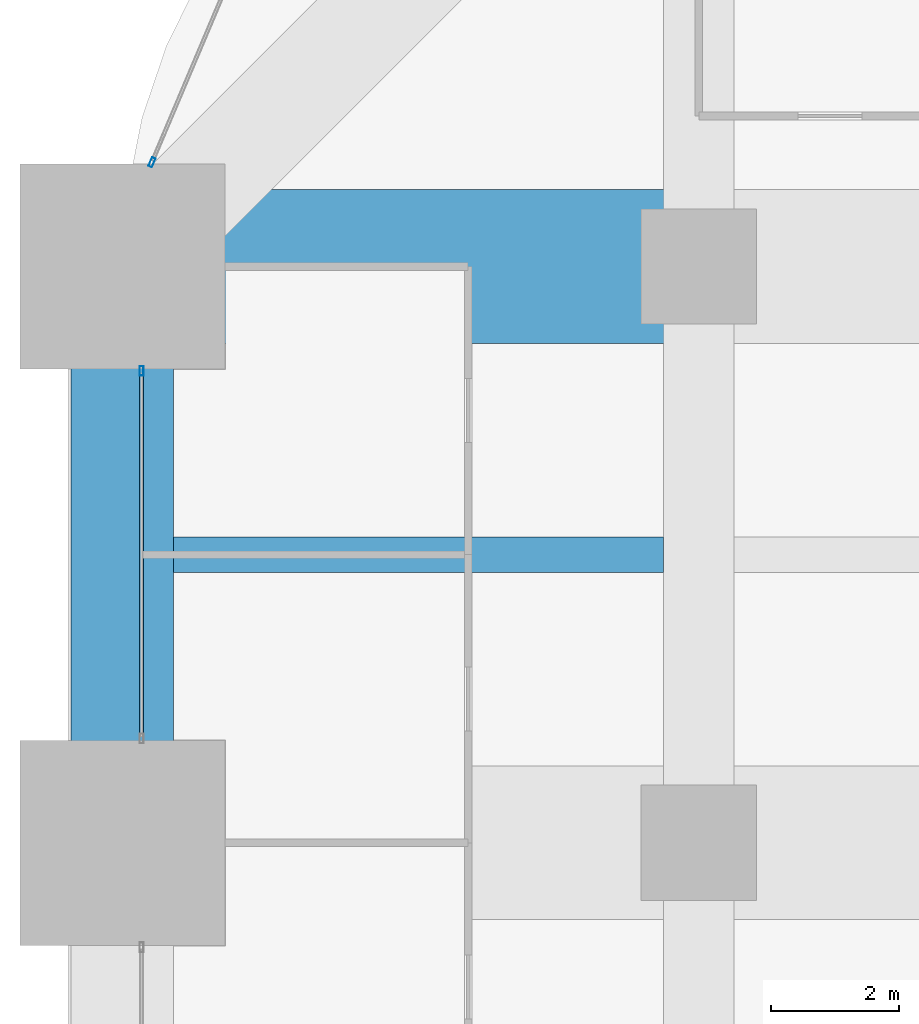
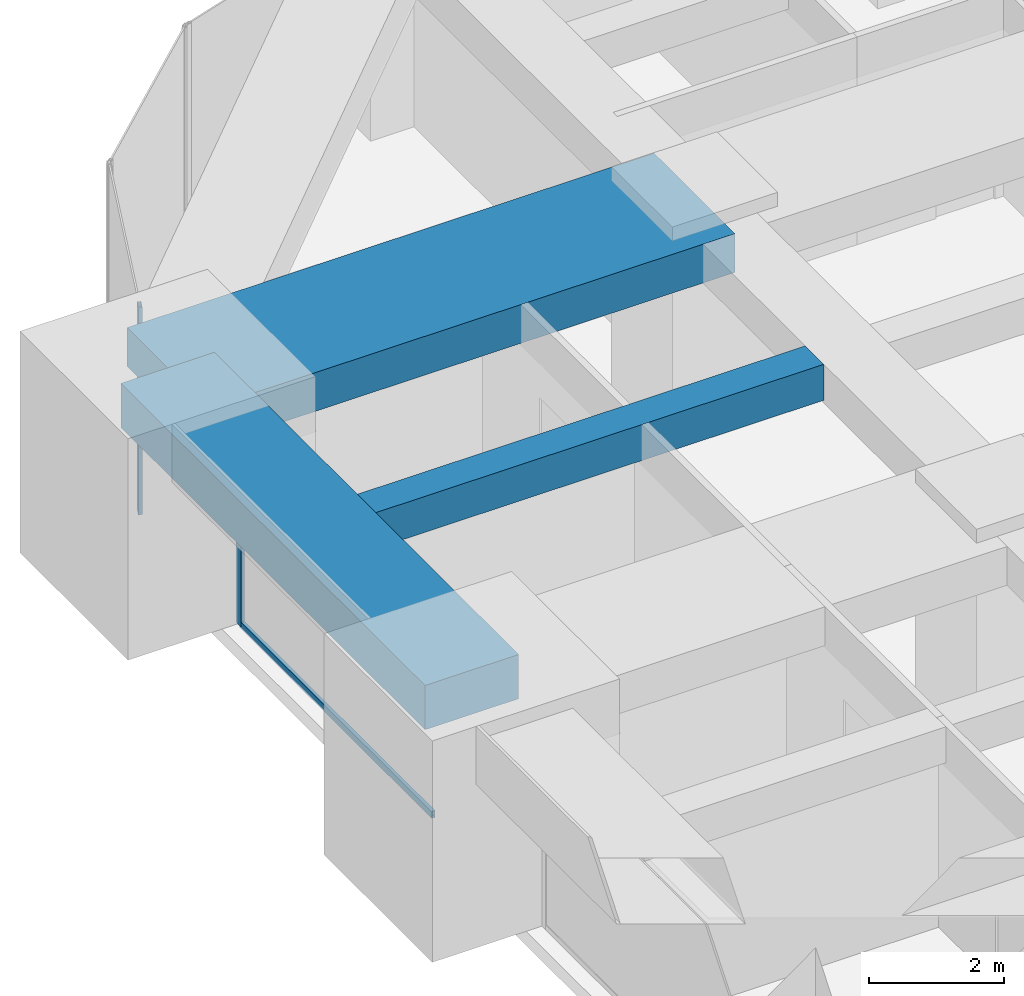
# One storey, part 20 of 36: 3 beams, 3 members, 2 elements without a shape of their own.
"""IFC4 building model written with IfcOpenShell, lengths in metres."""

from ifc_helpers import new_model, si_unit, direction, frame, origin, origin_2d, place, context, subcontext, project, spatial, rectangle, hollow_rectangle, extrude, material, material_profile, profile_set, type_object, element, aggregate, save


model = new_model("IFC4")

# Units and contexts
model_context = context("Model", 3, precision=1e-05, world=origin(), true_north=direction((0.0, 1.0)))
body_context = subcontext(model_context, "Body", "Model", "MODEL_VIEW")
ifc_project = project(units=[si_unit("LENGTHUNIT", "METRE"), si_unit("AREAUNIT", "SQUARE_METRE"), si_unit("VOLUMEUNIT", "CUBIC_METRE"), si_unit("PLANEANGLEUNIT", "RADIAN"), si_unit("MASSUNIT", "GRAM", prefix="KILO")], contexts=[model_context])

# Site, building, storey
site_placement = place(None, origin())
site = spatial("IfcSite", under=ifc_project, at=site_placement, CompositionType="ELEMENT")
building_placement = place(site_placement, origin())
building = spatial("IfcBuilding", under=site, at=building_placement, Name="Zorevar Civic Tower", CompositionType="ELEMENT")
storey_placement = place(building_placement, frame((0.0, 0.0, 166.199951171875)))
storey = spatial("IfcBuildingStorey", under=building, at=storey_placement, Name="L40", CompositionType="ELEMENT", Elevation=166.199951171875)

# Beams
ifc_material_1 = material(Name="Concrete C50/60", Category="concrete")
ifc_material_profile_1 = material_profile(ifc_material_1, rectangle(XDim=2.39990234375, YDim=0.699951171875, at=origin_2d()), Name="RC 2400x700")
ifc_profile_set_1 = profile_set([ifc_material_profile_1], Name="Concrete C50/60")
beam_type_1 = type_object("IfcBeamType", Name="Beam RC 2400x700", PredefinedType="BEAM", material=ifc_profile_set_1)
beam_1_placement = place(storey_placement, frame((0.0, 36.0, 3.400146484375), z_axis=(1.0, 0.0, 0.0), x_axis=(0.0, 1.0, 0.0)))
element("IfcBeam", 1, at=beam_1_placement, inside=storey, type_object=beam_type_1, Name="Girder L41", PredefinedType="BEAM", context=body_context, shape_type="SweptSolid", body=[
    extrude(rectangle(XDim=2.39990234375, YDim=0.699951171875, at=origin_2d()), origin(), (0.0, 0.0, 1.0), 9.0),
])
ifc_material_2 = material(Name="Concrete C50/60", Category="concrete")
ifc_material_profile_2 = material_profile(ifc_material_2, rectangle(XDim=0.550048828125, YDim=0.64990234375, at=origin_2d()), Name="RC 550x650")
ifc_profile_set_2 = profile_set([ifc_material_profile_2], Name="Concrete C50/60")
beam_type_2 = type_object("IfcBeamType", Name="Beam RC 550x650", PredefinedType="BEAM", material=ifc_profile_set_2)
beam_2_placement = place(storey_placement, frame((0.800048828125, 31.5, 3.425048828125), z_axis=(1.0, 0.0, 0.0), x_axis=(0.0, 1.0, 0.0)))
element("IfcBeam", 2, at=beam_2_placement, inside=storey, type_object=beam_type_2, Name="Secondary beam L41", PredefinedType="BEAM", context=body_context, shape_type="SweptSolid", body=[
    extrude(rectangle(XDim=0.550048828125, YDim=0.64990234375, at=origin_2d()), origin(), (0.0, 0.0, 1.0), 7.64990234375),
])

# Curtain wall, member
ifc_material_3 = material(Name="Dark grey solar-control glass in black aluminium frame", Category="aluminium")
curtain_wall_type = type_object("IfcCurtainWallType", Name="Curtain wall CW4 high zone", PredefinedType="NOTDEFINED", material=ifc_material_3)
curtain_wall_1_placement = place(storey_placement, origin())
curtain_wall_1 = element("IfcCurtainWall", 3, at=curtain_wall_1_placement, inside=storey, type_object=curtain_wall_type, Name="CW4 L40", PredefinedType="NOTDEFINED")
ifc_material_4 = material(Name="Aluminium, black anodised", Category="aluminium")
ifc_material_profile_3 = material_profile(ifc_material_4, hollow_rectangle(XDim=0.06005859375, YDim=0.14990234375, WallThickness=0.00390625, at=origin_2d()), Name="AL 150x60x4")
ifc_profile_set_3 = profile_set([ifc_material_profile_3], Name="Aluminium, black anodised")
member_type_1 = type_object("IfcMemberType", Name="CW4 mullion AL 150x60x4", PredefinedType="MULLION", material=ifc_profile_set_3)
member_1_placement = place(storey_placement, frame((0.300048828125, 34.3701171875, 0.0), z_axis=(0.0, 0.0, 1.0), x_axis=(-1.0, 0.0, 0.0)))
member_1 = element("IfcMember", 4, at=member_1_placement, type_object=member_type_1, Name="CW4 mullion 2", PredefinedType="MULLION", context=body_context, shape_type="SweptSolid", body=[
    extrude(hollow_rectangle(XDim=0.06005859375, YDim=0.14990234375, WallThickness=0.00390625, at=origin_2d()), origin(), (0.0, 0.0, 1.0), 2.949951171875),
])

curtain_wall_2_placement = place(storey_placement, origin())
curtain_wall_2 = element("IfcCurtainWall", 5, at=curtain_wall_2_placement, inside=storey, type_object=curtain_wall_type, Name="CW4 L40", PredefinedType="NOTDEFINED")
member_2_placement = place(storey_placement, frame((0.460205078125, 37.627685546875, 0.0), z_axis=(0.0, 0.0, 1.0), x_axis=(0.920829589054, -0.389965213734, 0.0)))
member_2 = element("IfcMember", 6, at=member_2_placement, type_object=member_type_1, Name="CW4 mullion 2", PredefinedType="MULLION", context=body_context, shape_type="SweptSolid", body=[
    extrude(hollow_rectangle(XDim=0.06005859375, YDim=0.14990234375, WallThickness=0.00390625, at=origin_2d()), origin(), (0.0, 0.0, 1.0), 3.75),
])
aggregate(curtain_wall_2, [member_2])

# Member
ifc_material_5 = material(Name="Aluminium, black anodised", Category="aluminium")
ifc_material_profile_4 = material_profile(ifc_material_5, hollow_rectangle(XDim=0.06005859375, YDim=0.1201171875, WallThickness=0.0029296875, at=origin_2d()), Name="AL 120x60x3")
ifc_profile_set_4 = profile_set([ifc_material_profile_4], Name="Aluminium, black anodised")
member_type_2 = type_object("IfcMemberType", Name="CW4 transom AL 120x60x3", PredefinedType="USERDEFINED", material=ifc_profile_set_4)
member_3_placement = place(storey_placement, frame((0.300048828125, 28.659912109375, 0.030029296875), z_axis=(0.0, 1.0, 0.0), x_axis=(-1.0, 0.0, 0.0)))
member_3 = element("IfcMember", 7, at=member_3_placement, type_object=member_type_2, Name="CW4 sill transom", ObjectType="TRANSOM", PredefinedType="USERDEFINED", context=body_context, shape_type="SweptSolid", body=[
    extrude(hollow_rectangle(XDim=0.06005859375, YDim=0.1201171875, WallThickness=0.0029296875, at=origin_2d()), origin(), (0.0, 0.0, 1.0), 5.68017578125),
])

aggregate(curtain_wall_1, [member_1, member_3])

# Beam
ifc_material_6 = material(Name="Concrete C50/60", Category="concrete")
ifc_material_profile_5 = material_profile(ifc_material_6, rectangle(XDim=1.60009765625, YDim=0.800048828125, at=origin_2d()), Name="RC 1600x800")
ifc_profile_set_5 = profile_set([ifc_material_profile_5], Name="Concrete C50/60")
beam_type_3 = type_object("IfcBeamType", Name="Edge beam RC 1600x800", PredefinedType="SPANDREL", material=ifc_profile_set_5)
beam_3_placement = place(storey_placement, frame((0.0, 27.0, 3.35009765625), z_axis=(0.0, 1.0, 0.0), x_axis=(-1.0, 0.0, 0.0)))
element("IfcBeam", 8, at=beam_3_placement, inside=storey, type_object=beam_type_3, Name="Edge beam L41", PredefinedType="SPANDREL", context=body_context, shape_type="SweptSolid", body=[
    extrude(rectangle(XDim=1.60009765625, YDim=0.800048828125, at=origin_2d()), origin(), (0.0, 0.0, 1.0), 9.0),
])

save(model, "model.ifc")
